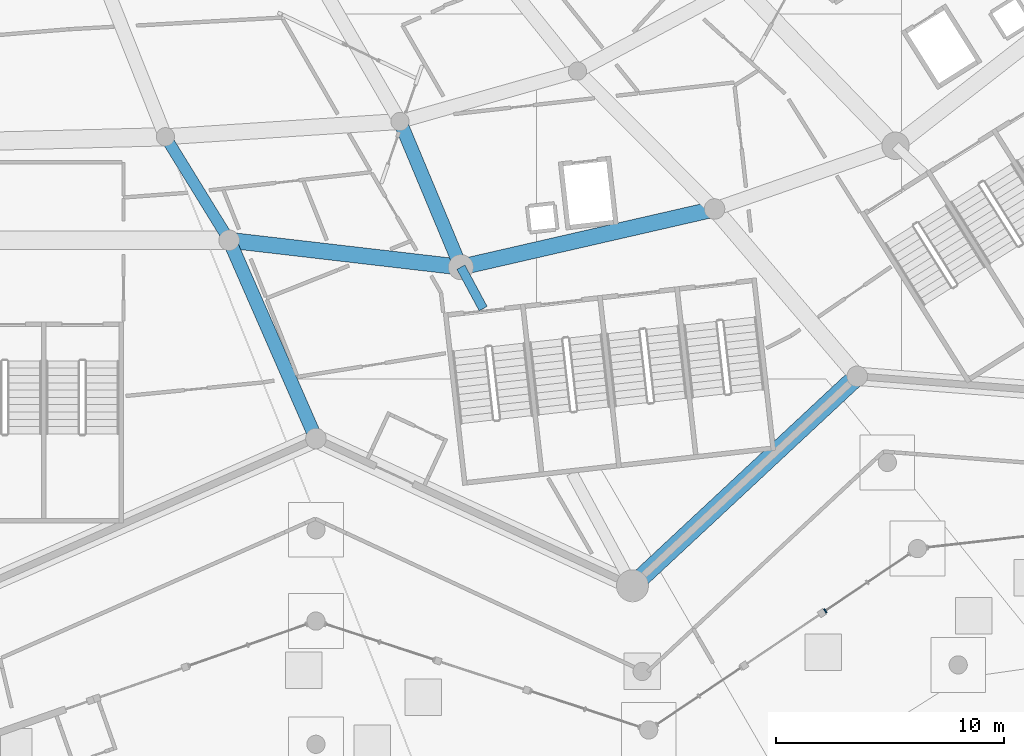
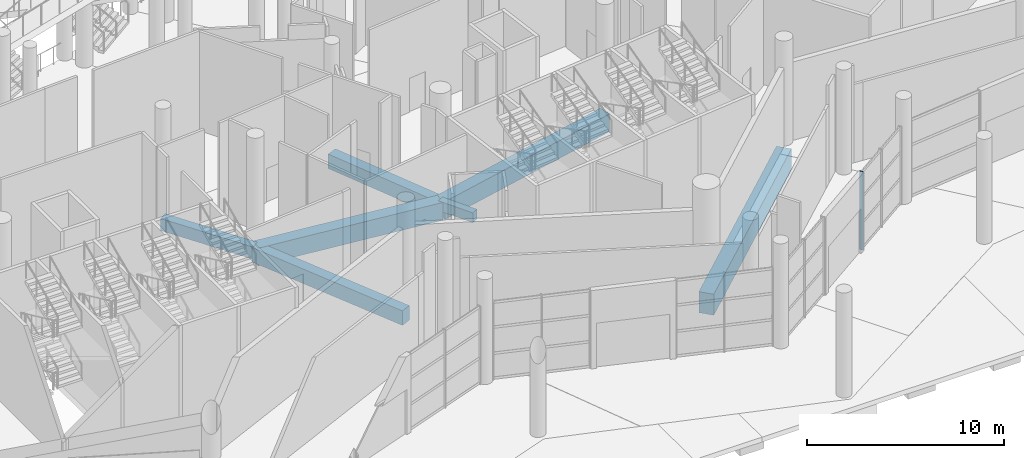
# One storey, part 31 of 255: 7 beams, 1 member, 1 element without a shape of its own.
"""IFC4 building model written with IfcOpenShell, lengths in metres."""

from ifc_helpers import new_model, si_unit, direction, frame, origin, origin_2d, place, context, subcontext, project, spatial, rectangle, extrude, material, layer, layer_set, material_profile, profile_set, type_object, element, aggregate, save


model = new_model("IFC4")

# Units and contexts
model_context = context("Model", 3, precision=1e-05, world=origin(), true_north=direction((0.0, 1.0)))
body_context = subcontext(model_context, "Body", "Model", "MODEL_VIEW")
ifc_project = project(units=[si_unit("LENGTHUNIT", "METRE"), si_unit("AREAUNIT", "SQUARE_METRE"), si_unit("VOLUMEUNIT", "CUBIC_METRE"), si_unit("PLANEANGLEUNIT", "RADIAN"), si_unit("MASSUNIT", "GRAM", prefix="KILO")], contexts=[model_context])

# Site, building, storey
site_placement = place(None, origin())
site = spatial("IfcSite", under=ifc_project, at=site_placement, CompositionType="ELEMENT")
building_placement = place(site_placement, origin())
building = spatial("IfcBuilding", under=site, at=building_placement, Name="Meseta Stadium", CompositionType="ELEMENT")
storey_placement = place(building_placement, origin())
storey = spatial("IfcBuildingStorey", under=building, at=storey_placement, Name="L00", CompositionType="ELEMENT", Elevation=0.0)

# Beams
ifc_material_1 = material(Name="Concrete C40/50", Category="concrete")
ifc_material_profile_1 = material_profile(ifc_material_1, rectangle(XDim=0.39990234375, YDim=0.60009765625, at=origin_2d()), Name="RC 400x600")
ifc_profile_set_1 = profile_set([ifc_material_profile_1], Name="Concrete C40/50")
beam_type_1 = type_object("IfcBeamType", Name="RC beam 400x600", PredefinedType="BEAM", material=ifc_profile_set_1)
beam_1_placement = place(storey_placement, frame((44.6826171875, -91.0908203125, -0.699951171875), z_axis=(0.474170370951, -0.880433108937, 0.0), x_axis=(0.880433108937, 0.474170370951, 0.0)))
element("IfcBeam", 1, at=beam_1_placement, inside=storey, type_object=beam_type_1, Name="L00 radial beam frame 50 line P to R", PredefinedType="BEAM", context=body_context, shape_type="SweptSolid", body=[
    extrude(rectangle(XDim=0.39990234375, YDim=0.60009765625, at=origin_2d()), origin(), (0.0, 0.0, 1.0), 2.063720703125),
])
ifc_material_2 = material(Name="Concrete C40/50", Category="concrete")
ifc_material_profile_2 = material_profile(ifc_material_2, rectangle(XDim=0.5, YDim=0.75, at=origin_2d()), Name="RC 500x750")
ifc_profile_set_2 = profile_set([ifc_material_profile_2], Name="Concrete C40/50")
beam_type_2 = type_object("IfcBeamType", Name="RC beam 500x750", PredefinedType="BEAM", material=ifc_profile_set_2)
beam_2_placement = place(storey_placement, frame((31.73681640625, -85.376708984375, -0.77490234375), z_axis=(0.52451674702, -0.85140013043, 0.0), x_axis=(0.85140013043, 0.52451674702, 0.0)))
element("IfcBeam", 2, at=beam_2_placement, inside=storey, type_object=beam_type_2, Name="L00 radial beam frame 49 line E to P", PredefinedType="BEAM", context=body_context, shape_type="SweptSolid", body=[
    extrude(rectangle(XDim=0.5, YDim=0.75, at=origin_2d()), origin(), (0.0, 0.0, 1.0), 5.32666015625),
])
ifc_material_3 = material(Name="Concrete C40/50", Category="concrete")
ifc_material_profile_3 = material_profile(ifc_material_3, rectangle(XDim=0.60009765625, YDim=0.89990234375, at=origin_2d()), Name="RC 600x900")
ifc_profile_set_3 = profile_set([ifc_material_profile_3], Name="Concrete C40/50")
beam_type_3 = type_object("IfcBeamType", Name="RC beam 600x900", PredefinedType="BEAM", material=ifc_profile_set_3)
beam_3_placement = place(storey_placement, frame((34.53076171875, -89.911865234375, -0.85009765625), z_axis=(0.4009417199, -0.91610356251, 0.0), x_axis=(0.91610356251, 0.4009417199, 0.0)))
element("IfcBeam", 3, at=beam_3_placement, inside=storey, type_object=beam_type_3, Name="L00 radial beam frame 49 line P to R", PredefinedType="BEAM", context=body_context, shape_type="SweptSolid", body=[
    extrude(rectangle(XDim=0.60009765625, YDim=0.89990234375, at=origin_2d()), origin(), (0.0, 0.0, 1.0), 9.48388671875),
])
beam_4_placement = place(storey_placement, frame((42.015380859375, -84.707275390625, -0.85009765625), z_axis=(0.385529780444, -0.922695393069, 0.0), x_axis=(0.922695393069, 0.385529780444, 0.0)))
element("IfcBeam", 4, at=beam_4_placement, inside=storey, type_object=beam_type_3, Name="L00 radial beam frame 50 line E to P", PredefinedType="BEAM", context=body_context, shape_type="SweptSolid", body=[
    extrude(rectangle(XDim=0.60009765625, YDim=0.89990234375, at=origin_2d()), origin(), (0.0, 0.0, 1.0), 6.91845703125),
])
ifc_material_4 = material(Name="Concrete C40/50", Category="concrete")
ifc_material_profile_4 = material_profile(ifc_material_4, rectangle(XDim=0.699951171875, YDim=1.10009765625, at=origin_2d()), Name="RC 700x1100")
ifc_profile_set_4 = profile_set([ifc_material_profile_4], Name="Concrete C40/50")
beam_type_4 = type_object("IfcBeamType", Name="RC beam 700x1100", PredefinedType="BEAM", material=ifc_profile_set_4)
beam_5_placement = place(storey_placement, frame((34.53076171875, -89.911865234375, -0.949951171875), z_axis=(0.993324132456, -0.115356698466, 0.0), x_axis=(0.115356698466, 0.993324132456, 0.0)))
element("IfcBeam", 5, at=beam_5_placement, inside=storey, type_object=beam_type_4, Name="L00 ring beam frame 49 line P", PredefinedType="BEAM", context=body_context, shape_type="SweptSolid", body=[
    extrude(rectangle(XDim=0.699951171875, YDim=1.10009765625, at=origin_2d()), origin(), (0.0, 0.0, 1.0), 10.219970703125),
])
beam_6_placement = place(storey_placement, frame((44.6826171875, -91.0908203125, -0.949951171875), z_axis=(0.974704832518, 0.22349606141, 0.0), x_axis=(-0.22349606141, 0.974704832518, 0.0)))
element("IfcBeam", 6, at=beam_6_placement, inside=storey, type_object=beam_type_4, Name="L00 ring beam frame 50 line P", PredefinedType="BEAM", context=body_context, shape_type="SweptSolid", body=[
    extrude(rectangle(XDim=0.699951171875, YDim=1.10009765625, at=origin_2d()), origin(), (0.0, 0.0, 1.0), 11.405517578125),
])
ifc_material_5 = material(Name="Concrete C40/50", Category="concrete")
ifc_material_profile_5 = material_profile(ifc_material_5, rectangle(XDim=0.800048828125, YDim=1.300048828125, at=origin_2d()), Name="RC 800x1300")
ifc_profile_set_5 = profile_set([ifc_material_profile_5], Name="Concrete C40/50")
beam_type_5 = type_object("IfcBeamType", Name="RC beam 800x1300", PredefinedType="BEAM", material=ifc_profile_set_5)
beam_7_placement = place(storey_placement, frame((52.202880859375, -105.0517578125, -1.050048828125), z_axis=(0.73154053301, 0.681797952889, 0.0), x_axis=(-0.681797952889, 0.73154053301, 0.0)))
element("IfcBeam", 7, at=beam_7_placement, inside=storey, type_object=beam_type_5, Name="L00 ring beam frame 50 line R", PredefinedType="BEAM", context=body_context, shape_type="SweptSolid", body=[
    extrude(rectangle(XDim=0.800048828125, YDim=1.300048828125, at=origin_2d()), origin(), (0.0, 0.0, 1.0), 13.462890625),
])

# Curtain wall, member
ifc_material_6 = material(Name="Aluminium", Category="aluminium")
ifc_layer = layer(ifc_material_6, 0.199951171875)
ifc_layer_set = layer_set([ifc_layer], Name="Ring shopfront curtain wall")
curtain_wall_type = type_object("IfcCurtainWallType", Name="Ring shopfront curtain wall", PredefinedType="NOTDEFINED", material=ifc_layer_set)
curtain_wall_placement = place(storey_placement, origin())
curtain_wall = element("IfcCurtainWall", 8, at=curtain_wall_placement, inside=storey, type_object=curtain_wall_type, Name="Shopfront glazing F50b", PredefinedType="NOTDEFINED")
ifc_material_7 = material(Name="Aluminium", Category="aluminium")
ifc_material_profile_6 = material_profile(ifc_material_7, rectangle(XDim=0.199951171875, YDim=0.06005859375, at=origin_2d()), Name="CW 200x60")
ifc_profile_set_6 = profile_set([ifc_material_profile_6], Name="Aluminium")
member_type = type_object("IfcMemberType", Name="Ring CW mullion 60x200", PredefinedType="MULLION", material=ifc_profile_set_6)
member_placement = place(storey_placement, frame((60.65283203125, -106.150634765625, 0.0), z_axis=(0.0, 0.0, 1.0), x_axis=(-0.559383641345, 0.828908886305, 0.0)))
member = element("IfcMember", 9, at=member_placement, type_object=member_type, Name="CWR1 mullion 1", PredefinedType="MULLION", context=body_context, shape_type="SweptSolid", body=[
    extrude(rectangle(XDim=0.199951171875, YDim=0.06005859375, at=origin_2d()), origin(), (0.0, 0.0, 1.0), 4.85009765625),
])
aggregate(curtain_wall, [member])

save(model, "model.ifc")
